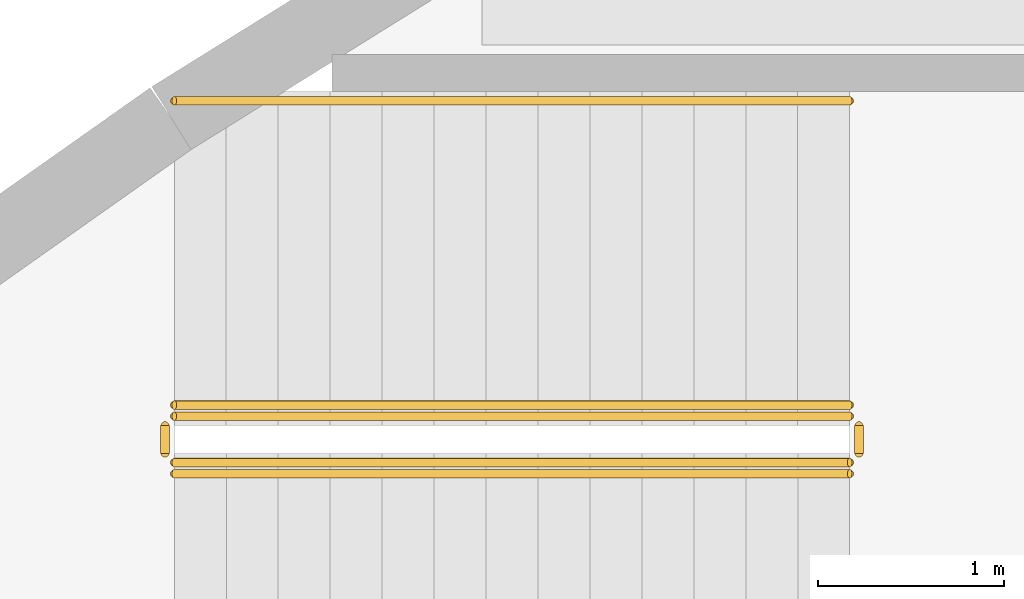
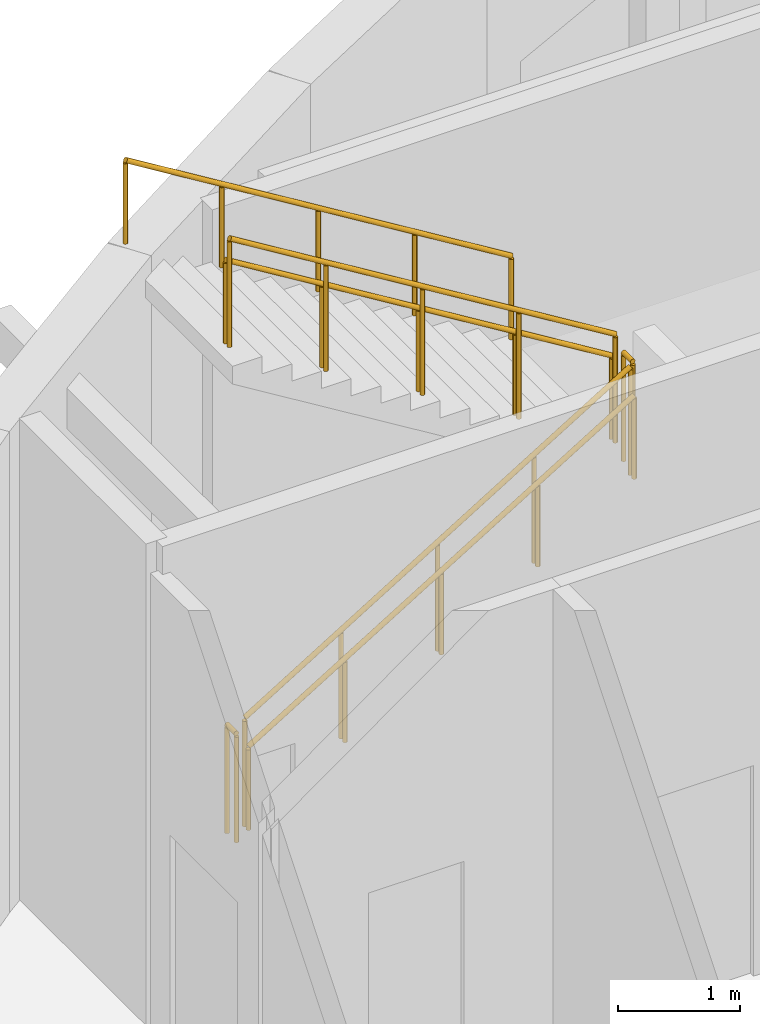
# One storey, part 92 of 93: 7 railings.
"""IFC4 building model written with IfcOpenShell, lengths in metres."""

import ifcopenshell
import ifcopenshell.guid

model = None  # the IFC model being written
_history = None  # IfcOwnerHistory: only IFC2X3 demands one
_inside = {}  # id of a spatial element -> (the spatial element, [elements in it])
_under = {}  # id of a project, library or spatial element -> (it, [spatial elements below it])
_declared = {}  # id of a project -> (the project, [libraries it declares])
_typed = {}  # id of a type object -> (the type object, [elements of that type])
_made_of = {}  # id of a material, layer set ... -> (it, [elements and type objects made of it])


def new_model(schema):
    """Start an empty IFC model of exactly this schema.

    Asked for "IFC4X3", IfcOpenShell would pick the latest addendum, in which some entities
    have other attributes; the version numbers below select the first issue.
    IFC2X3 requires an IfcOwnerHistory on every rooted entity: one is made here for all.
    """
    global model, _history
    if schema == "IFC4X3":
        model = ifcopenshell.file(schema_version=(4, 3, 0, 0))
    else:
        model = ifcopenshell.file(schema=schema)
    _inside.clear()
    _under.clear()
    _declared.clear()
    _typed.clear()
    _made_of.clear()
    _history = None
    if model.schema == "IFC2X3":
        org = make("IfcOrganization", Name="unknown")
        user = make(
            "IfcPersonAndOrganization",
            ThePerson=make("IfcPerson", FamilyName="unknown"),
            TheOrganization=org,
        )
        app = make(
            "IfcApplication",
            ApplicationDeveloper=org,
            Version="unknown",
            ApplicationFullName="unknown",
            ApplicationIdentifier="unknown",
        )
        _history = make(
            "IfcOwnerHistory",
            OwningUser=user,
            OwningApplication=app,
            ChangeAction="ADDED",
            CreationDate=0,
        )
    return model


def make(cls, **values):
    """One entity of the class cls with the attributes given. An attribute that is None is left unset."""
    return model.create_entity(
        cls, **{name: value for name, value in values.items() if value is not None}
    )


def rooted(cls, **values):
    """An entity with a GlobalId (a new one), such as an element, a storey or a relation."""
    return make(cls, GlobalId=ifcopenshell.guid.new(), OwnerHistory=_history, **values)


def si_unit(unit_type, name, prefix=None):
    """IfcSIUnit, for example si_unit("LENGTHUNIT", "METRE", prefix="MILLI")."""
    return make("IfcSIUnit", UnitType=unit_type, Prefix=prefix, Name=name)


def assignment(units):
    """IfcUnitAssignment: the units of a project."""
    return None if units is None else make("IfcUnitAssignment", Units=units)


def point(xyz):
    """IfcCartesianPoint."""
    return None if xyz is None else make("IfcCartesianPoint", Coordinates=xyz)


def direction(xyz):
    """IfcDirection."""
    return None if xyz is None else make("IfcDirection", DirectionRatios=xyz)


def frame(location, z_axis=None, x_axis=None):
    """IfcAxis2Placement3D, a coordinate frame: its origin and axes. An axis left out is left unset."""
    return make(
        "IfcAxis2Placement3D",
        Location=point(location),
        Axis=direction(z_axis),
        RefDirection=direction(x_axis),
    )


def frame_2d(location, x_axis=None):
    """IfcAxis2Placement2D, a coordinate frame in the plane: its origin and x axis."""
    return make(
        "IfcAxis2Placement2D", Location=point(location), RefDirection=direction(x_axis)
    )


def origin():
    """The frame at (0, 0, 0) with its axes left unset."""
    return frame((0.0, 0.0, 0.0))


def origin_2d():
    """The frame at (0, 0) in the plane with its x axis left unset."""
    return frame_2d((0.0, 0.0))


def place(relative_to, where):
    """IfcLocalPlacement: puts the frame where relative to a parent placement (None: the world)."""
    return make(
        "IfcLocalPlacement", PlacementRelTo=relative_to, RelativePlacement=where
    )


def context(
    kind, dimensions, precision=None, world=None, true_north=None, identifier=None
):
    """IfcGeometricRepresentationContext, for example the 3D "Model" context."""
    return make(
        "IfcGeometricRepresentationContext",
        ContextIdentifier=identifier,
        ContextType=kind,
        CoordinateSpaceDimension=dimensions,
        Precision=precision,
        WorldCoordinateSystem=world,
        TrueNorth=true_north,
    )


def subcontext(parent, identifier, kind, view, scale=None):
    """IfcGeometricRepresentationSubContext, for example "Body" below "Model"."""
    return make(
        "IfcGeometricRepresentationSubContext",
        ContextIdentifier=identifier,
        ContextType=kind,
        ParentContext=parent,
        TargetScale=scale,
        TargetView=view,
    )


def project(units=None, contexts=None):
    """IfcProject with its units and contexts."""
    return rooted(
        "IfcProject",
        Name="project",
        RepresentationContexts=contexts,
        UnitsInContext=assignment(units),
    )


def spatial(cls, under=None, at=None, **own):
    """A site, building, storey or space (cls), placed at a placement, below another one or the project."""
    s = rooted(cls, ObjectPlacement=at, **own)
    if under is not None:
        _under.setdefault(under.id(), (under, []))[1].append(s)
    return s


def profile(cls, at=None, kind="AREA", **sizes):
    """A parametric profile (cls). Its sizes go by their IFC names, for example OverallWidth=200.0."""
    return make(cls, ProfileType=kind, Position=at, **sizes)


def circle(**sizes):
    """IfcCircleProfileDef."""
    return profile("IfcCircleProfileDef", **sizes)


def extrude(swept, where, along, depth):
    """IfcExtrudedAreaSolid: the profile swept, set in the frame where, extruded along a direction by depth."""
    return make(
        "IfcExtrudedAreaSolid",
        SweptArea=swept,
        Position=where,
        ExtrudedDirection=direction(along),
        Depth=depth,
    )


def shape(context_of_items, identifier, shape_type, items):
    """IfcShapeRepresentation: the items that make up one representation, for example the "Body"."""
    return make(
        "IfcShapeRepresentation",
        ContextOfItems=context_of_items,
        RepresentationIdentifier=identifier,
        RepresentationType=shape_type,
        Items=items,
    )


def material(Name=None, Category=None):
    """IfcMaterial."""
    return make("IfcMaterial", Name=Name, Category=Category)


def made_of(thing, what):
    """Note that an element or type object is made of a material, layer set ...; save() writes the relation."""
    if what is not None:
        _made_of.setdefault(what.id(), (what, []))[1].append(thing)
    return thing


def type_object(cls, material=None, **own):
    """A type object (cls), such as IfcWallType, which elements share."""
    return made_of(rooted(cls, **own), material)


def element(
    cls,
    number,
    at=None,
    inside=None,
    cuts=None,
    type_object=None,
    material=None,
    context=None,
    identifier="Body",
    shape_type=None,
    held_by="IfcProductDefinitionShape",
    body=None,
    shapes=None,
    **own,
):
    """One element of the class cls, such as IfcWall. Its Tag is "e" and its number.

    at: its placement. inside: the storey or other place that contains it. cuts: it is an
    opening in that element (IfcRelVoidsElement). A single representation is given by context,
    identifier, shape_type and body (its items); several are given by shapes. held_by: the class
    of the entity that holds the representations. save() writes the other relations.
    """
    e = rooted(cls, Tag="e%d" % number, ObjectPlacement=at, **own)
    if body is not None:
        shapes = [shape(context, identifier, shape_type, body)]
    if shapes is not None:
        e.Representation = make(held_by, Representations=shapes)
    if inside is not None:
        _inside.setdefault(inside.id(), (inside, []))[1].append(e)
    if cuts is not None:
        rooted(
            "IfcRelVoidsElement", RelatingBuildingElement=cuts, RelatedOpeningElement=e
        )
    if type_object is not None:
        _typed.setdefault(type_object.id(), (type_object, []))[1].append(e)
    return made_of(e, material)


def aggregate(whole, parts):
    """IfcRelAggregates: a whole, such as a stair, and the parts it consists of."""
    return rooted("IfcRelAggregates", RelatingObject=whole, RelatedObjects=parts)


def save(model, path):
    """Write the relations noted so far, then the file.

    IfcRelAggregates (storeys below a building ...), IfcRelContainedInSpatialStructure (elements
    in a storey), IfcRelDefinesByType, IfcRelAssociatesMaterial and IfcRelDeclares: one each for
    every whole, place, type object, material and project.
    """
    for whole, parts in _under.values():
        aggregate(whole, parts)
    for where, things in _inside.values():
        rooted(
            "IfcRelContainedInSpatialStructure",
            RelatedElements=things,
            RelatingStructure=where,
        )
    for kind, things in _typed.values():
        rooted("IfcRelDefinesByType", RelatedObjects=things, RelatingType=kind)
    for what, things in _made_of.values():
        rooted("IfcRelAssociatesMaterial", RelatedObjects=things, RelatingMaterial=what)
    for by, libraries in _declared.values():
        rooted("IfcRelDeclares", RelatingContext=by, RelatedDefinitions=libraries)
    model.write(path)


model = new_model("IFC4")

# Units and contexts
model_context = context("Model", 3, precision=1e-05, world=origin(), true_north=direction((0.0, 1.0)))
body_context = subcontext(model_context, "Body", "Model", "MODEL_VIEW")
ifc_project = project(units=[si_unit("LENGTHUNIT", "METRE"), si_unit("AREAUNIT", "SQUARE_METRE"), si_unit("VOLUMEUNIT", "CUBIC_METRE"), si_unit("PLANEANGLEUNIT", "RADIAN"), si_unit("MASSUNIT", "GRAM", prefix="KILO")], contexts=[model_context])

# Site, building, storey
site_placement = place(None, origin())
site = spatial("IfcSite", under=ifc_project, at=site_placement, CompositionType="ELEMENT")
building_placement = place(site_placement, origin())
building = spatial("IfcBuilding", under=site, at=building_placement, Name="Tide Square Theatres", CompositionType="ELEMENT")
storey_placement = place(building_placement, frame((0.0, 0.0, 5.39990234375)))
storey = spatial("IfcBuildingStorey", under=building, at=storey_placement, Name="L01", CompositionType="ELEMENT", Elevation=5.39990234375)

# Railings
ifc_material_1 = material(Name="Painted steel", Category="steel")
railing_type_1 = type_object("IfcRailingType", Name="Steel guard 1100", PredefinedType="GUARDRAIL", material=ifc_material_1)
railing_1_placement = place(storey_placement, frame((103.60009765625, 100.550048828125, 0.171630859375)))
element("IfcRailing", 1, at=railing_1_placement, inside=storey, type_object=railing_type_1, Name="L01 RST-1 stair guard 1", PredefinedType="GUARDRAIL", context=body_context, shape_type="SweptSolid", body=[
    extrude(circle(Radius=0.02392578125, at=origin_2d()), frame((0.0, 0.0, 1.076171875), z_axis=(0.852850264322, 0.0, 0.5221555579), x_axis=(0.0, 1.0, 0.0)), (0.0, 0.0, 1.0), 4.267822265625),
    extrude(circle(Radius=0.02099609375, at=origin_2d()), origin(), (0.0, 0.0, 1.0), 1.052001953125),
    extrude(circle(Radius=0.02099609375, at=origin_2d()), frame((0.909912109375, 0.0, 0.55712890625)), (0.0, 0.0, 1.0), 1.052001953125),
    extrude(circle(Radius=0.02099609375, at=origin_2d()), frame((1.81982421875, 0.0, 1.1142578125)), (0.0, 0.0, 1.0), 1.052001953125),
    extrude(circle(Radius=0.02099609375, at=origin_2d()), frame((2.72998046875, 0.0, 1.67138671875)), (0.0, 0.0, 1.0), 1.052001953125),
    extrude(circle(Radius=0.02099609375, at=origin_2d()), frame((3.639892578125, 0.0, 2.228515625)), (0.0, 0.0, 1.0), 1.052001953125),
])
railing_2_placement = place(storey_placement, frame((107.2900390625, 100.60009765625, 2.400146484375)))
element("IfcRailing", 2, at=railing_2_placement, inside=storey, type_object=railing_type_1, Name="L01 RST-1 stair guard 2", PredefinedType="GUARDRAIL", context=body_context, shape_type="SweptSolid", body=[
    extrude(circle(Radius=0.02392578125, at=origin_2d()), frame((0.0, 0.0, 1.076171875), z_axis=(0.0, 1.0, 0.0), x_axis=(-1.0, 0.0, 0.0)), (0.0, 0.0, 1.0), 0.14990234375),
    extrude(circle(Radius=0.02099609375, at=origin_2d()), origin(), (0.0, 0.0, 1.0), 1.052001953125),
    extrude(circle(Radius=0.02099609375, at=origin_2d()), frame((0.0, 0.14990234375, 0.0)), (0.0, 0.0, 1.0), 1.052001953125),
])
railing_3_placement = place(storey_placement, frame((107.239990234375, 100.800048828125, 2.571533203125)))
element("IfcRailing", 3, at=railing_3_placement, inside=storey, type_object=railing_type_1, Name="L01 RST-1 stair guard 3", PredefinedType="GUARDRAIL", context=body_context, shape_type="SweptSolid", body=[
    extrude(circle(Radius=0.02392578125, at=origin_2d()), frame((0.0, 0.0, 1.076171875), z_axis=(-0.852850264322, 0.0, 0.5221555579), x_axis=(0.0, -1.0, 0.0)), (0.0, 0.0, 1.0), 4.267822265625),
    extrude(circle(Radius=0.02099609375, at=origin_2d()), origin(), (0.0, 0.0, 1.0), 1.052001953125),
    extrude(circle(Radius=0.02099609375, at=origin_2d()), frame((-0.909912109375, 0.0, 0.55712890625)), (0.0, 0.0, 1.0), 1.052001953125),
    extrude(circle(Radius=0.02099609375, at=origin_2d()), frame((-1.81982421875, 0.0, 1.1142578125)), (0.0, 0.0, 1.0), 1.052001953125),
    extrude(circle(Radius=0.02099609375, at=origin_2d()), frame((-2.72998046875, 0.0, 1.67138671875)), (0.0, 0.0, 1.0), 1.052001953125),
    extrude(circle(Radius=0.02099609375, at=origin_2d()), frame((-3.639892578125, 0.0, 2.228515625)), (0.0, 0.0, 1.0), 1.052001953125),
])
railing_4_placement = place(storey_placement, frame((103.550048828125, 100.60009765625, 0.0)))
element("IfcRailing", 4, at=railing_4_placement, inside=storey, type_object=railing_type_1, Name="L01 RST-1 stair guard 4", PredefinedType="GUARDRAIL", context=body_context, shape_type="SweptSolid", body=[
    extrude(circle(Radius=0.02392578125, at=origin_2d()), frame((0.0, 0.0, 1.076171875), z_axis=(0.0, 1.0, 0.0), x_axis=(-1.0, 0.0, 0.0)), (0.0, 0.0, 1.0), 0.14990234375),
    extrude(circle(Radius=0.02099609375, at=origin_2d()), origin(), (0.0, 0.0, 1.0), 1.052001953125),
    extrude(circle(Radius=0.02099609375, at=origin_2d()), frame((0.0, 0.14990234375, 0.0)), (0.0, 0.0, 1.0), 1.052001953125),
])
ifc_material_2 = material(Name="Painted steel", Category="steel")
railing_type_2 = type_object("IfcRailingType", Name="Steel handrail 850", PredefinedType="HANDRAIL", material=ifc_material_2)
railing_5_placement = place(storey_placement, frame((103.60009765625, 100.489990234375, 0.171630859375)))
element("IfcRailing", 5, at=railing_5_placement, inside=storey, type_object=railing_type_2, Name="L01 RST-1 stair handrail 2", PredefinedType="HANDRAIL", context=body_context, shape_type="SweptSolid", body=[
    extrude(circle(Radius=0.02392578125, at=origin_2d()), frame((0.0, 0.0, 0.826171875), z_axis=(0.852850264322, 0.0, 0.5221555579), x_axis=(0.0, 1.0, 0.0)), (0.0, 0.0, 1.0), 4.267822265625),
    extrude(circle(Radius=0.02099609375, at=origin_2d()), origin(), (0.0, 0.0, 1.0), 0.802001953125),
    extrude(circle(Radius=0.02099609375, at=origin_2d()), frame((0.909912109375, 0.0, 0.55712890625)), (0.0, 0.0, 1.0), 0.802001953125),
    extrude(circle(Radius=0.02099609375, at=origin_2d()), frame((1.81982421875, 0.0, 1.1142578125)), (0.0, 0.0, 1.0), 0.802001953125),
    extrude(circle(Radius=0.02099609375, at=origin_2d()), frame((2.72998046875, 0.0, 1.67138671875)), (0.0, 0.0, 1.0), 0.802001953125),
    extrude(circle(Radius=0.02099609375, at=origin_2d()), frame((3.639892578125, 0.0, 2.228515625)), (0.0, 0.0, 1.0), 0.802001953125),
])
for number, where, name in (
    (6, (107.239990234375, 102.5, 2.571533203125), "L01 RST-1 stair handrail 3"),
    (7, (107.239990234375, 100.860107421875, 2.571533203125), "L01 RST-1 stair handrail 4"),
):
    element("IfcRailing", number, at=place(storey_placement, frame(where)), inside=storey, type_object=railing_type_2, Name=name, PredefinedType="HANDRAIL", context=body_context, shape_type="SweptSolid", body=[
        extrude(circle(Radius=0.02392578125, at=origin_2d()), frame((0.0, 0.0, 0.826171875), z_axis=(-0.852850264322, 0.0, 0.5221555579), x_axis=(0.0, -1.0, 0.0)), (0.0, 0.0, 1.0), 4.267822265625),
        extrude(circle(Radius=0.02099609375, at=origin_2d()), origin(), (0.0, 0.0, 1.0), 0.802001953125),
        extrude(circle(Radius=0.02099609375, at=origin_2d()), frame((-0.909912109375, 0.0, 0.55712890625)), (0.0, 0.0, 1.0), 0.802001953125),
        extrude(circle(Radius=0.02099609375, at=origin_2d()), frame((-1.81982421875, 0.0, 1.1142578125)), (0.0, 0.0, 1.0), 0.802001953125),
        extrude(circle(Radius=0.02099609375, at=origin_2d()), frame((-2.72998046875, 0.0, 1.67138671875)), (0.0, 0.0, 1.0), 0.802001953125),
        extrude(circle(Radius=0.02099609375, at=origin_2d()), frame((-3.639892578125, 0.0, 2.228515625)), (0.0, 0.0, 1.0), 0.802001953125),
    ])

save(model, "model.ifc")
